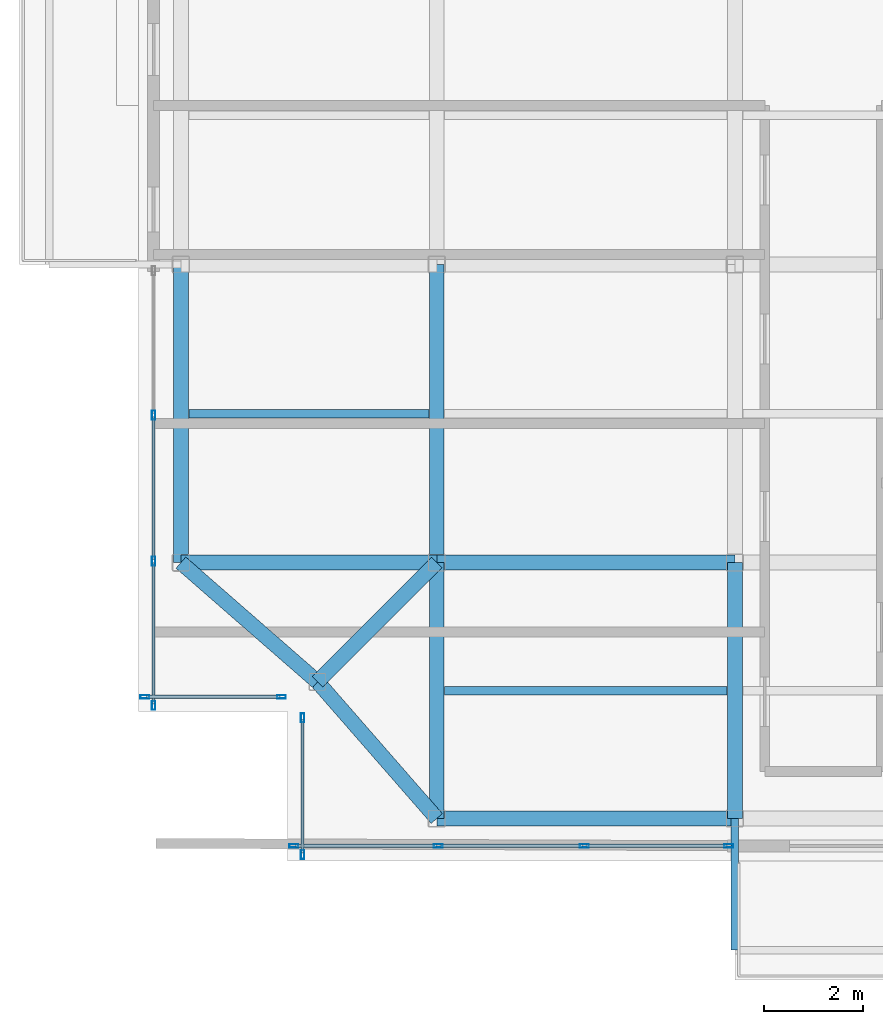
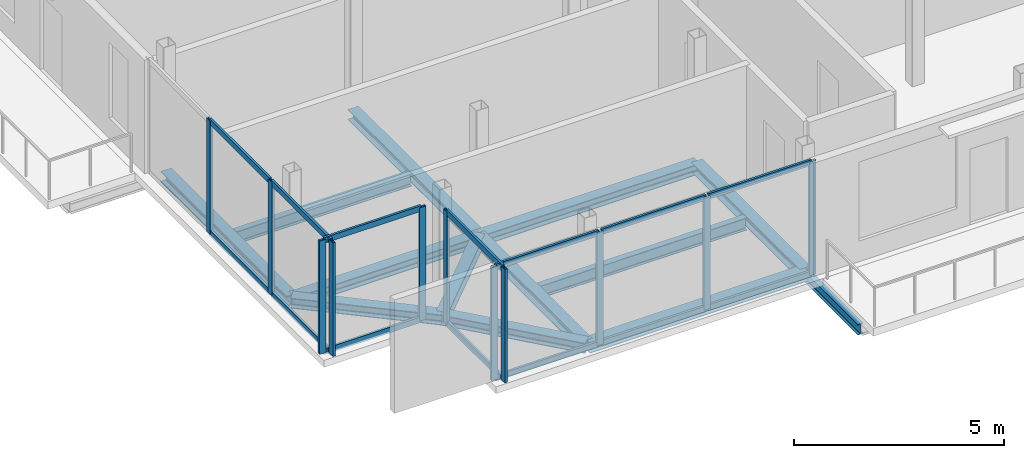
# One storey, part 2 of 18: 25 members, 13 beams, 4 elements without a shape of their own.
"""IFC4 building model written with IfcOpenShell, lengths in metres."""

from ifc_helpers import new_model, si_unit, direction, frame, origin, origin_2d, place, context, subcontext, project, spatial, hollow_rectangle, i_section, extrude, material, layer, layer_set, material_profile, profile_set, type_object, element, aggregate, save


model = new_model("IFC4")

# Units and contexts
model_context = context("Model", 3, precision=1e-05, world=origin(), true_north=direction((0.0, 1.0)))
body_context = subcontext(model_context, "Body", "Model", "MODEL_VIEW")
ifc_project = project(units=[si_unit("LENGTHUNIT", "METRE"), si_unit("AREAUNIT", "SQUARE_METRE"), si_unit("VOLUMEUNIT", "CUBIC_METRE"), si_unit("PLANEANGLEUNIT", "RADIAN"), si_unit("MASSUNIT", "GRAM", prefix="KILO"), si_unit("THERMODYNAMICTEMPERATUREUNIT", "KELVIN"), si_unit("POWERUNIT", "WATT")], contexts=[model_context])

# Site, building, storey
site_placement = place(None, origin())
site = spatial("IfcSite", under=ifc_project, at=site_placement, CompositionType="ELEMENT")
building_placement = place(site_placement, origin())
building = spatial("IfcBuilding", under=site, at=building_placement, Name="Svarakhadi Broadcast Tower", CompositionType="ELEMENT")
storey_placement = place(building_placement, frame((0.0, 0.0, 281.699951171875)))
storey = spatial("IfcBuildingStorey", under=building, at=storey_placement, Name="L71", CompositionType="ELEMENT", Elevation=281.699951171875)

# Beams
ifc_material_1 = material(Name="Steel S355J2 (IS 2062 E350C)", Category="steel")
ifc_material_profile_1 = material_profile(ifc_material_1, i_section(OverallWidth=0.169921875, OverallDepth=0.360107421875, WebThickness=0.008056640625, FlangeThickness=0.0126953125, FilletRadius=0.01806640625, at=origin_2d()), Name="NPB 360x170x57")
ifc_profile_set_1 = profile_set([ifc_material_profile_1], Name="Steel S355J2 (IS 2062 E350C)")
beam_type_1 = type_object("IfcBeamType", Name="Beam_NPB360", PredefinedType="BEAM", material=ifc_profile_set_1)
beam_1_placement = place(storey_placement, frame((1.010009765625, 9.0, -0.3798828125), z_axis=(1.0, 0.0, 0.0), x_axis=(0.0, 1.0, 0.0)))
element("IfcBeam", 1, at=beam_1_placement, inside=storey, type_object=beam_type_1, Name="L71 Secondary Composite Beam SB001", PredefinedType="BEAM", context=body_context, shape_type="SweptSolid", body=[
    extrude(i_section(OverallWidth=0.169921875, OverallDepth=0.360107421875, WebThickness=0.008056640625, FlangeThickness=0.0126953125, FilletRadius=0.01806640625, at=origin_2d()), origin(), (0.0, 0.0, 1.0), 4.830078125),
])
beam_2_placement = place(storey_placement, frame((6.159912109375, 3.425048828125, -0.3798828125), z_axis=(1.0, 0.0, 0.0), x_axis=(0.0, 1.0, 0.0)))
element("IfcBeam", 2, at=beam_2_placement, inside=storey, type_object=beam_type_1, Name="L71 Secondary Composite Beam SB004", PredefinedType="BEAM", context=body_context, shape_type="SweptSolid", body=[
    extrude(i_section(OverallWidth=0.169921875, OverallDepth=0.360107421875, WebThickness=0.008056640625, FlangeThickness=0.0126953125, FilletRadius=0.01806640625, at=origin_2d()), origin(), (0.0, 0.0, 1.0), 5.68017578125),
])

# Curtain wall, members
ifc_material_2 = material(Name="Anodised Bronze Aluminium AA 6063-T6", Category="aluminium")
ifc_layer = layer(ifc_material_2, 0.179931640625)
ifc_layer_set = layer_set([ifc_layer], Name="Anodised Bronze Aluminium AA 6063-T6")
curtain_wall_type = type_object("IfcCurtainWallType", Name="CW_Sys_05", PredefinedType="NOTDEFINED", material=ifc_layer_set)
curtain_wall_1_placement = place(storey_placement, origin())
curtain_wall_1 = element("IfcCurtainWall", 3, at=curtain_wall_1_placement, inside=storey, type_object=curtain_wall_type, Name="L71 Unitised Facade Curtain Wall 01", PredefinedType="NOTDEFINED")
ifc_material_profile_2 = material_profile(ifc_material_2, hollow_rectangle(XDim=0.070068359375, YDim=0.179931640625, WallThickness=0.005615234375, at=origin_2d()), Name="ALU MULLION 180x70x6")
ifc_profile_set_2 = profile_set([ifc_material_profile_2], Name="Anodised Bronze Aluminium AA 6063-T6")
member_type_1 = type_object("IfcMemberType", Name="CW_Sys_05_Mul", PredefinedType="MULLION", material=ifc_profile_set_2)
member_1_placement = place(storey_placement, frame((2.875, 3.300048828125, 0.0), z_axis=(0.0, 0.0, 1.0), x_axis=(0.0, -1.0, 0.0)))
member_1 = element("IfcMember", 4, at=member_1_placement, type_object=member_type_1, Name="CW-05 mullion 1", PredefinedType="MULLION", context=body_context, shape_type="SweptSolid", body=[
    extrude(hollow_rectangle(XDim=0.070068359375, YDim=0.179931640625, WallThickness=0.005615234375, at=origin_2d()), origin(), (0.0, 0.0, 1.0), 3.300048828125),
])
member_2_placement = place(storey_placement, frame((0.125, 3.300048828125, 0.0), z_axis=(0.0, 0.0, 1.0), x_axis=(0.0, -1.0, 0.0)))
member_2 = element("IfcMember", 5, at=member_2_placement, type_object=member_type_1, Name="CW-05 mullion 2", PredefinedType="MULLION", context=body_context, shape_type="SweptSolid", body=[
    extrude(hollow_rectangle(XDim=0.070068359375, YDim=0.179931640625, WallThickness=0.005615234375, at=origin_2d()), origin(), (0.0, 0.0, 1.0), 3.300048828125),
])

curtain_wall_2_placement = place(storey_placement, origin())
curtain_wall_2 = element("IfcCurtainWall", 6, at=curtain_wall_2_placement, inside=storey, type_object=curtain_wall_type, Name="L71 West Curtain Wall 02", PredefinedType="NOTDEFINED")
member_3_placement = place(storey_placement, frame((0.300048828125, 3.125, 0.0), z_axis=(0.0, 0.0, 1.0), x_axis=(-1.0, 0.0, 0.0)))
member_3 = element("IfcMember", 7, at=member_3_placement, type_object=member_type_1, Name="CW-05 mullion 1", PredefinedType="MULLION", context=body_context, shape_type="SweptSolid", body=[
    extrude(hollow_rectangle(XDim=0.070068359375, YDim=0.179931640625, WallThickness=0.005615234375, at=origin_2d()), origin(), (0.0, 0.0, 1.0), 3.300048828125),
])
member_4_placement = place(storey_placement, frame((0.300048828125, 6.030029296875, 0.0), z_axis=(0.0, 0.0, 1.0), x_axis=(-1.0, 0.0, 0.0)))
member_4 = element("IfcMember", 8, at=member_4_placement, type_object=member_type_1, Name="CW-05 mullion 2", PredefinedType="MULLION", context=body_context, shape_type="SweptSolid", body=[
    extrude(hollow_rectangle(XDim=0.070068359375, YDim=0.179931640625, WallThickness=0.005615234375, at=origin_2d()), origin(), (0.0, 0.0, 1.0), 3.300048828125),
])
member_5_placement = place(storey_placement, frame((0.300048828125, 8.969970703125, 0.0), z_axis=(0.0, 0.0, 1.0), x_axis=(-1.0, 0.0, 0.0)))
member_5 = element("IfcMember", 9, at=member_5_placement, type_object=member_type_1, Name="CW-05 mullion 3", PredefinedType="MULLION", context=body_context, shape_type="SweptSolid", body=[
    extrude(hollow_rectangle(XDim=0.070068359375, YDim=0.179931640625, WallThickness=0.005615234375, at=origin_2d()), origin(), (0.0, 0.0, 1.0), 3.300048828125),
])

curtain_wall_3_placement = place(storey_placement, origin())
curtain_wall_3 = element("IfcCurtainWall", 10, at=curtain_wall_3_placement, inside=storey, type_object=curtain_wall_type, Name="L71 South Curtain Wall 17", PredefinedType="NOTDEFINED")
member_6_placement = place(storey_placement, frame((11.875, 0.300048828125, 0.0), z_axis=(0.0, 0.0, 1.0), x_axis=(0.0, -1.0, 0.0)))
member_6 = element("IfcMember", 11, at=member_6_placement, type_object=member_type_1, Name="CW-05 mullion 1", PredefinedType="MULLION", context=body_context, shape_type="SweptSolid", body=[
    extrude(hollow_rectangle(XDim=0.070068359375, YDim=0.179931640625, WallThickness=0.005615234375, at=origin_2d()), origin(), (0.0, 0.0, 1.0), 3.300048828125),
])
member_7_placement = place(storey_placement, frame((8.969970703125, 0.300048828125, 0.0), z_axis=(0.0, 0.0, 1.0), x_axis=(0.0, -1.0, 0.0)))
member_7 = element("IfcMember", 12, at=member_7_placement, type_object=member_type_1, Name="CW-05 mullion 2", PredefinedType="MULLION", context=body_context, shape_type="SweptSolid", body=[
    extrude(hollow_rectangle(XDim=0.070068359375, YDim=0.179931640625, WallThickness=0.005615234375, at=origin_2d()), origin(), (0.0, 0.0, 1.0), 3.300048828125),
])
member_8_placement = place(storey_placement, frame((6.030029296875, 0.300048828125, 0.0), z_axis=(0.0, 0.0, 1.0), x_axis=(0.0, -1.0, 0.0)))
member_8 = element("IfcMember", 13, at=member_8_placement, type_object=member_type_1, Name="CW-05 mullion 3", PredefinedType="MULLION", context=body_context, shape_type="SweptSolid", body=[
    extrude(hollow_rectangle(XDim=0.070068359375, YDim=0.179931640625, WallThickness=0.005615234375, at=origin_2d()), origin(), (0.0, 0.0, 1.0), 3.300048828125),
])
member_9_placement = place(storey_placement, frame((3.125, 0.300048828125, 0.0), z_axis=(0.0, 0.0, 1.0), x_axis=(0.0, -1.0, 0.0)))
member_9 = element("IfcMember", 14, at=member_9_placement, type_object=member_type_1, Name="CW-05 mullion 4", PredefinedType="MULLION", context=body_context, shape_type="SweptSolid", body=[
    extrude(hollow_rectangle(XDim=0.070068359375, YDim=0.179931640625, WallThickness=0.005615234375, at=origin_2d()), origin(), (0.0, 0.0, 1.0), 3.300048828125),
])

curtain_wall_4_placement = place(storey_placement, origin())
curtain_wall_4 = element("IfcCurtainWall", 15, at=curtain_wall_4_placement, inside=storey, type_object=curtain_wall_type, Name="L71 Unitised Facade Curtain Wall 18", PredefinedType="NOTDEFINED")
member_10_placement = place(storey_placement, frame((3.300048828125, 0.125, 0.0), z_axis=(0.0, 0.0, 1.0), x_axis=(-1.0, 0.0, 0.0)))
member_10 = element("IfcMember", 16, at=member_10_placement, type_object=member_type_1, Name="CW-05 mullion 1", PredefinedType="MULLION", context=body_context, shape_type="SweptSolid", body=[
    extrude(hollow_rectangle(XDim=0.070068359375, YDim=0.179931640625, WallThickness=0.005615234375, at=origin_2d()), origin(), (0.0, 0.0, 1.0), 3.300048828125),
])
member_11_placement = place(storey_placement, frame((3.300048828125, 2.875, 0.0), z_axis=(0.0, 0.0, 1.0), x_axis=(-1.0, 0.0, 0.0)))
member_11 = element("IfcMember", 17, at=member_11_placement, type_object=member_type_1, Name="CW-05 mullion 2", PredefinedType="MULLION", context=body_context, shape_type="SweptSolid", body=[
    extrude(hollow_rectangle(XDim=0.070068359375, YDim=0.179931640625, WallThickness=0.005615234375, at=origin_2d()), origin(), (0.0, 0.0, 1.0), 3.300048828125),
])

# Member
ifc_material_profile_3 = material_profile(ifc_material_2, hollow_rectangle(XDim=0.06494140625, YDim=0.1650390625, WallThickness=0.0048828125, at=origin_2d()), Name="ALU TRANSOM 165x65x5")
ifc_profile_set_3 = profile_set([ifc_material_profile_3], Name="Anodised Bronze Aluminium AA 6063-T6")
member_type_2 = type_object("IfcMemberType", Name="CW_Sys_05_Trn", PredefinedType="USERDEFINED", material=ifc_profile_set_3)
member_12_placement = place(storey_placement, frame((2.840087890625, 3.300048828125, 0.032470703125), z_axis=(-1.0, 0.0, 0.0), x_axis=(0.0, -1.0, 0.0)))
member_12 = element("IfcMember", 18, at=member_12_placement, type_object=member_type_2, Name="CW-05 transom 1.1", ObjectType="TRANSOM", PredefinedType="USERDEFINED", context=body_context, shape_type="SweptSolid", body=[
    extrude(hollow_rectangle(XDim=0.06494140625, YDim=0.1650390625, WallThickness=0.0048828125, at=origin_2d()), origin(), (0.0, 0.0, 1.0), 2.68017578125),
])

member_13_placement = place(storey_placement, frame((2.840087890625, 3.300048828125, 3.267578125), z_axis=(-1.0, 0.0, 0.0), x_axis=(0.0, -1.0, 0.0)))
member_13 = element("IfcMember", 19, at=member_13_placement, type_object=member_type_2, Name="CW-05 transom 1.2", ObjectType="TRANSOM", PredefinedType="USERDEFINED", context=body_context, shape_type="SweptSolid", body=[
    extrude(hollow_rectangle(XDim=0.06494140625, YDim=0.1650390625, WallThickness=0.0048828125, at=origin_2d()), origin(), (0.0, 0.0, 1.0), 2.68017578125),
])

aggregate(curtain_wall_1, [member_1, member_2, member_12, member_13])

member_14_placement = place(storey_placement, frame((0.300048828125, 3.159912109375, 0.032470703125), z_axis=(0.0, 1.0, 0.0), x_axis=(-1.0, 0.0, 0.0)))
member_14 = element("IfcMember", 20, at=member_14_placement, type_object=member_type_2, Name="CW-05 transom 1.1", ObjectType="TRANSOM", PredefinedType="USERDEFINED", context=body_context, shape_type="SweptSolid", body=[
    extrude(hollow_rectangle(XDim=0.06494140625, YDim=0.1650390625, WallThickness=0.0048828125, at=origin_2d()), origin(), (0.0, 0.0, 1.0), 2.835205078125),
])

member_15_placement = place(storey_placement, frame((0.300048828125, 3.159912109375, 3.267578125), z_axis=(0.0, 1.0, 0.0), x_axis=(-1.0, 0.0, 0.0)))
member_15 = element("IfcMember", 21, at=member_15_placement, type_object=member_type_2, Name="CW-05 transom 1.2", ObjectType="TRANSOM", PredefinedType="USERDEFINED", context=body_context, shape_type="SweptSolid", body=[
    extrude(hollow_rectangle(XDim=0.06494140625, YDim=0.1650390625, WallThickness=0.0048828125, at=origin_2d()), origin(), (0.0, 0.0, 1.0), 2.835205078125),
])

member_16_placement = place(storey_placement, frame((0.300048828125, 6.06494140625, 0.032470703125), z_axis=(0.0, 1.0, 0.0), x_axis=(-1.0, 0.0, 0.0)))
member_16 = element("IfcMember", 22, at=member_16_placement, type_object=member_type_2, Name="CW-05 transom 2.1", ObjectType="TRANSOM", PredefinedType="USERDEFINED", context=body_context, shape_type="SweptSolid", body=[
    extrude(hollow_rectangle(XDim=0.06494140625, YDim=0.1650390625, WallThickness=0.0048828125, at=origin_2d()), origin(), (0.0, 0.0, 1.0), 2.8701171875),
])

member_17_placement = place(storey_placement, frame((0.300048828125, 6.06494140625, 3.267578125), z_axis=(0.0, 1.0, 0.0), x_axis=(-1.0, 0.0, 0.0)))
member_17 = element("IfcMember", 23, at=member_17_placement, type_object=member_type_2, Name="CW-05 transom 2.2", ObjectType="TRANSOM", PredefinedType="USERDEFINED", context=body_context, shape_type="SweptSolid", body=[
    extrude(hollow_rectangle(XDim=0.06494140625, YDim=0.1650390625, WallThickness=0.0048828125, at=origin_2d()), origin(), (0.0, 0.0, 1.0), 2.8701171875),
])

aggregate(curtain_wall_2, [member_3, member_4, member_5, member_14, member_15, member_16, member_17])

member_18_placement = place(storey_placement, frame((11.840087890625, 0.300048828125, 0.032470703125), z_axis=(-1.0, 0.0, 0.0), x_axis=(0.0, -1.0, 0.0)))
member_18 = element("IfcMember", 24, at=member_18_placement, type_object=member_type_2, Name="CW-05 transom 1.1", ObjectType="TRANSOM", PredefinedType="USERDEFINED", context=body_context, shape_type="SweptSolid", body=[
    extrude(hollow_rectangle(XDim=0.06494140625, YDim=0.1650390625, WallThickness=0.0048828125, at=origin_2d()), origin(), (0.0, 0.0, 1.0), 2.835205078125),
])

member_19_placement = place(storey_placement, frame((11.840087890625, 0.300048828125, 3.267578125), z_axis=(-1.0, 0.0, 0.0), x_axis=(0.0, -1.0, 0.0)))
member_19 = element("IfcMember", 25, at=member_19_placement, type_object=member_type_2, Name="CW-05 transom 1.2", ObjectType="TRANSOM", PredefinedType="USERDEFINED", context=body_context, shape_type="SweptSolid", body=[
    extrude(hollow_rectangle(XDim=0.06494140625, YDim=0.1650390625, WallThickness=0.0048828125, at=origin_2d()), origin(), (0.0, 0.0, 1.0), 2.835205078125),
])

member_20_placement = place(storey_placement, frame((8.93505859375, 0.300048828125, 0.032470703125), z_axis=(-1.0, 0.0, 0.0), x_axis=(0.0, -1.0, 0.0)))
member_20 = element("IfcMember", 26, at=member_20_placement, type_object=member_type_2, Name="CW-05 transom 2.1", ObjectType="TRANSOM", PredefinedType="USERDEFINED", context=body_context, shape_type="SweptSolid", body=[
    extrude(hollow_rectangle(XDim=0.06494140625, YDim=0.1650390625, WallThickness=0.0048828125, at=origin_2d()), origin(), (0.0, 0.0, 1.0), 2.8701171875),
])

member_21_placement = place(storey_placement, frame((8.93505859375, 0.300048828125, 3.267578125), z_axis=(-1.0, 0.0, 0.0), x_axis=(0.0, -1.0, 0.0)))
member_21 = element("IfcMember", 27, at=member_21_placement, type_object=member_type_2, Name="CW-05 transom 2.2", ObjectType="TRANSOM", PredefinedType="USERDEFINED", context=body_context, shape_type="SweptSolid", body=[
    extrude(hollow_rectangle(XDim=0.06494140625, YDim=0.1650390625, WallThickness=0.0048828125, at=origin_2d()), origin(), (0.0, 0.0, 1.0), 2.8701171875),
])

member_22_placement = place(storey_placement, frame((5.9951171875, 0.300048828125, 0.032470703125), z_axis=(-1.0, 0.0, 0.0), x_axis=(0.0, -1.0, 0.0)))
member_22 = element("IfcMember", 28, at=member_22_placement, type_object=member_type_2, Name="CW-05 transom 3.1", ObjectType="TRANSOM", PredefinedType="USERDEFINED", context=body_context, shape_type="SweptSolid", body=[
    extrude(hollow_rectangle(XDim=0.06494140625, YDim=0.1650390625, WallThickness=0.0048828125, at=origin_2d()), origin(), (0.0, 0.0, 1.0), 2.835205078125),
])

member_23_placement = place(storey_placement, frame((5.9951171875, 0.300048828125, 3.267578125), z_axis=(-1.0, 0.0, 0.0), x_axis=(0.0, -1.0, 0.0)))
member_23 = element("IfcMember", 29, at=member_23_placement, type_object=member_type_2, Name="CW-05 transom 3.2", ObjectType="TRANSOM", PredefinedType="USERDEFINED", context=body_context, shape_type="SweptSolid", body=[
    extrude(hollow_rectangle(XDim=0.06494140625, YDim=0.1650390625, WallThickness=0.0048828125, at=origin_2d()), origin(), (0.0, 0.0, 1.0), 2.835205078125),
])

aggregate(curtain_wall_3, [member_6, member_7, member_8, member_9, member_18, member_19, member_20, member_21, member_22, member_23])

member_24_placement = place(storey_placement, frame((3.300048828125, 0.159912109375, 0.032470703125), z_axis=(0.0, 1.0, 0.0), x_axis=(-1.0, 0.0, 0.0)))
member_24 = element("IfcMember", 30, at=member_24_placement, type_object=member_type_2, Name="CW-05 transom 1.1", ObjectType="TRANSOM", PredefinedType="USERDEFINED", context=body_context, shape_type="SweptSolid", body=[
    extrude(hollow_rectangle(XDim=0.06494140625, YDim=0.1650390625, WallThickness=0.0048828125, at=origin_2d()), origin(), (0.0, 0.0, 1.0), 2.68017578125),
])

member_25_placement = place(storey_placement, frame((3.300048828125, 0.159912109375, 3.267578125), z_axis=(0.0, 1.0, 0.0), x_axis=(-1.0, 0.0, 0.0)))
member_25 = element("IfcMember", 31, at=member_25_placement, type_object=member_type_2, Name="CW-05 transom 1.2", ObjectType="TRANSOM", PredefinedType="USERDEFINED", context=body_context, shape_type="SweptSolid", body=[
    extrude(hollow_rectangle(XDim=0.06494140625, YDim=0.1650390625, WallThickness=0.0048828125, at=origin_2d()), origin(), (0.0, 0.0, 1.0), 2.68017578125),
])

aggregate(curtain_wall_4, [member_10, member_11, member_24, member_25])

# Beams
ifc_material_profile_4 = material_profile(ifc_material_1, i_section(OverallWidth=0.300048828125, OverallDepth=0.300048828125, WebThickness=0.010986328125, FlangeThickness=0.01904296875, FilletRadius=0.027099609375, at=origin_2d()), Name="WPB 300x300x117")
ifc_profile_set_4 = profile_set([ifc_material_profile_4], Name="Steel S355J2 (IS 2062 E350C)")
beam_type_2 = type_object("IfcBeamType", Name="Girder_WPB300", PredefinedType="USERDEFINED", material=ifc_profile_set_4)
beam_3_placement = place(storey_placement, frame((3.60009765625, 3.60009765625, -0.349853515625), z_axis=(0.707106781187, 0.707106781187, 0.0), x_axis=(-0.707106781187, 0.707106781187, 0.0)))
element("IfcBeam", 32, at=beam_3_placement, inside=storey, type_object=beam_type_2, Name="L71 Corner Tie Girder G001", ObjectType="GIRDER", PredefinedType="USERDEFINED", context=body_context, shape_type="SweptSolid", body=[
    extrude(i_section(OverallWidth=0.300048828125, OverallDepth=0.300048828125, WebThickness=0.010986328125, FlangeThickness=0.01904296875, FilletRadius=0.027099609375, at=origin_2d()), origin(), (0.0, 0.0, 1.0), 3.39404296875),
])
for number, where, z_axis, x_axis, name in (
    (33, (3.60009765625, 3.60009765625, -0.349853515625), (-0.753437912176, 0.657519058655, 0.0), (-0.657519058655, -0.753437912176, 0.0), "L71 Corner Tie Girder G002"),
    (34, (3.60009765625, 3.60009765625, -0.349853515625), (0.657519058655, -0.753437912176, 0.0), (0.753437912176, 0.657519058655, 0.0), "L71 Corner Tie Girder G003"),
):
    element("IfcBeam", number, at=place(storey_placement, frame(where, z_axis=z_axis, x_axis=x_axis)), inside=storey, type_object=beam_type_2, Name=name, ObjectType="GIRDER", PredefinedType="USERDEFINED", context=body_context, shape_type="SweptSolid", body=[
        extrude(i_section(OverallWidth=0.300048828125, OverallDepth=0.300048828125, WebThickness=0.010986328125, FlangeThickness=0.01904296875, FilletRadius=0.027099609375, at=origin_2d()), origin(), (0.0, 0.0, 1.0), 3.64990234375),
    ])
beam_4_placement = place(storey_placement, frame((6.0, 0.85009765625, -0.349853515625), z_axis=(1.0, 0.0, 0.0), x_axis=(0.0, 1.0, 0.0)))
element("IfcBeam", 35, at=beam_4_placement, inside=storey, type_object=beam_type_2, Name="L71 Primary E-W Girder G004", ObjectType="GIRDER", PredefinedType="USERDEFINED", context=body_context, shape_type="SweptSolid", body=[
    extrude(i_section(OverallWidth=0.300048828125, OverallDepth=0.300048828125, WebThickness=0.010986328125, FlangeThickness=0.01904296875, FilletRadius=0.027099609375, at=origin_2d()), origin(), (0.0, 0.0, 1.0), 6.0),
])
beam_5_placement = place(storey_placement, frame((0.85009765625, 6.0, -0.349853515625), z_axis=(1.0, 0.0, 0.0), x_axis=(0.0, 1.0, 0.0)))
element("IfcBeam", 36, at=beam_5_placement, inside=storey, type_object=beam_type_2, Name="L71 Primary E-W Girder G008", ObjectType="GIRDER", PredefinedType="USERDEFINED", context=body_context, shape_type="SweptSolid", body=[
    extrude(i_section(OverallWidth=0.300048828125, OverallDepth=0.300048828125, WebThickness=0.010986328125, FlangeThickness=0.01904296875, FilletRadius=0.027099609375, at=origin_2d()), origin(), (0.0, 0.0, 1.0), 5.14990234375),
])
for number, where, z_axis, x_axis, name in (
    (37, (6.0, 6.0, -0.349853515625), (1.0, 0.0, 0.0), (0.0, 1.0, 0.0), "L71 Primary E-W Girder G009"),
    (38, (0.85009765625, 6.0, -0.349853515625), (0.0, 1.0, 0.0), (-1.0, 0.0, 0.0), "L71 Primary N-S Girder G026"),
):
    element("IfcBeam", number, at=place(storey_placement, frame(where, z_axis=z_axis, x_axis=x_axis)), inside=storey, type_object=beam_type_2, Name=name, ObjectType="GIRDER", PredefinedType="USERDEFINED", context=body_context, shape_type="SweptSolid", body=[
        extrude(i_section(OverallWidth=0.300048828125, OverallDepth=0.300048828125, WebThickness=0.010986328125, FlangeThickness=0.01904296875, FilletRadius=0.027099609375, at=origin_2d()), origin(), (0.0, 0.0, 1.0), 6.0),
    ])
beam_6_placement = place(storey_placement, frame((6.0, 0.85009765625, -0.349853515625), z_axis=(0.0, 1.0, 0.0), x_axis=(-1.0, 0.0, 0.0)))
element("IfcBeam", 39, at=beam_6_placement, inside=storey, type_object=beam_type_2, Name="L71 Primary N-S Girder G029", ObjectType="GIRDER", PredefinedType="USERDEFINED", context=body_context, shape_type="SweptSolid", body=[
    extrude(i_section(OverallWidth=0.300048828125, OverallDepth=0.300048828125, WebThickness=0.010986328125, FlangeThickness=0.01904296875, FilletRadius=0.027099609375, at=origin_2d()), origin(), (0.0, 0.0, 1.0), 5.14990234375),
])
beam_7_placement = place(storey_placement, frame((6.0, 6.0, -0.349853515625), z_axis=(0.0, 1.0, 0.0), x_axis=(-1.0, 0.0, 0.0)))
element("IfcBeam", 40, at=beam_7_placement, inside=storey, type_object=beam_type_2, Name="L71 Primary N-S Girder G030", ObjectType="GIRDER", PredefinedType="USERDEFINED", context=body_context, shape_type="SweptSolid", body=[
    extrude(i_section(OverallWidth=0.300048828125, OverallDepth=0.300048828125, WebThickness=0.010986328125, FlangeThickness=0.01904296875, FilletRadius=0.027099609375, at=origin_2d()), origin(), (0.0, 0.0, 1.0), 6.0),
])
beam_8_placement = place(storey_placement, frame((12.0, 0.85009765625, -0.349853515625), z_axis=(0.0, 1.0, 0.0), x_axis=(-1.0, 0.0, 0.0)))
element("IfcBeam", 41, at=beam_8_placement, inside=storey, type_object=beam_type_2, Name="L71 Primary N-S Girder G033", ObjectType="GIRDER", PredefinedType="USERDEFINED", context=body_context, shape_type="SweptSolid", body=[
    extrude(i_section(OverallWidth=0.300048828125, OverallDepth=0.300048828125, WebThickness=0.010986328125, FlangeThickness=0.01904296875, FilletRadius=0.027099609375, at=origin_2d()), origin(), (0.0, 0.0, 1.0), 5.14990234375),
])
ifc_material_profile_5 = material_profile(ifc_material_1, i_section(OverallWidth=0.14990234375, OverallDepth=0.300048828125, WebThickness=0.007080078125, FlangeThickness=0.0107421875, FilletRadius=0.014892578125, at=origin_2d()), Name="NPB 300x150x37")
ifc_profile_set_5 = profile_set([ifc_material_profile_5], Name="Steel S355J2 (IS 2062 E350C)")
beam_type_3 = type_object("IfcBeamType", Name="Spandrel_NPB300", PredefinedType="SPANDREL", material=ifc_profile_set_5)
beam_9_placement = place(storey_placement, frame((12.0, 0.85009765625, -0.375), z_axis=(0.0, -1.0, 0.0), x_axis=(1.0, 0.0, 0.0)))
element("IfcBeam", 42, at=beam_9_placement, inside=storey, type_object=beam_type_3, Name="L71 Balcony Cantilever Bracket 1A", PredefinedType="SPANDREL", context=body_context, shape_type="SweptSolid", body=[
    extrude(i_section(OverallWidth=0.14990234375, OverallDepth=0.300048828125, WebThickness=0.007080078125, FlangeThickness=0.0107421875, FilletRadius=0.014892578125, at=origin_2d()), origin(), (0.0, 0.0, 1.0), 2.650146484375),
])

save(model, "model.ifc")
